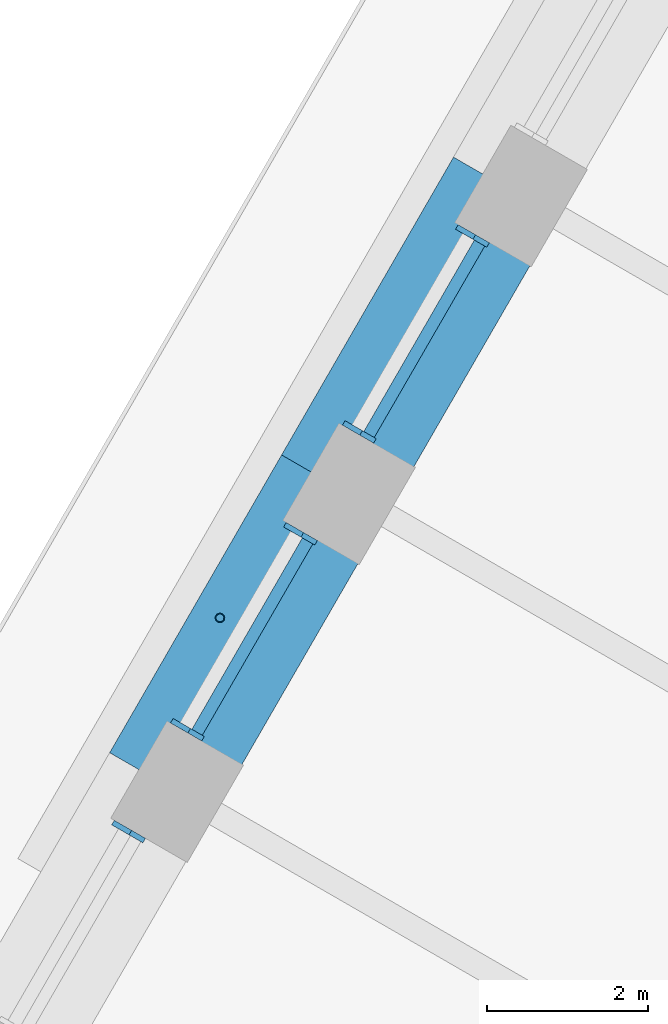
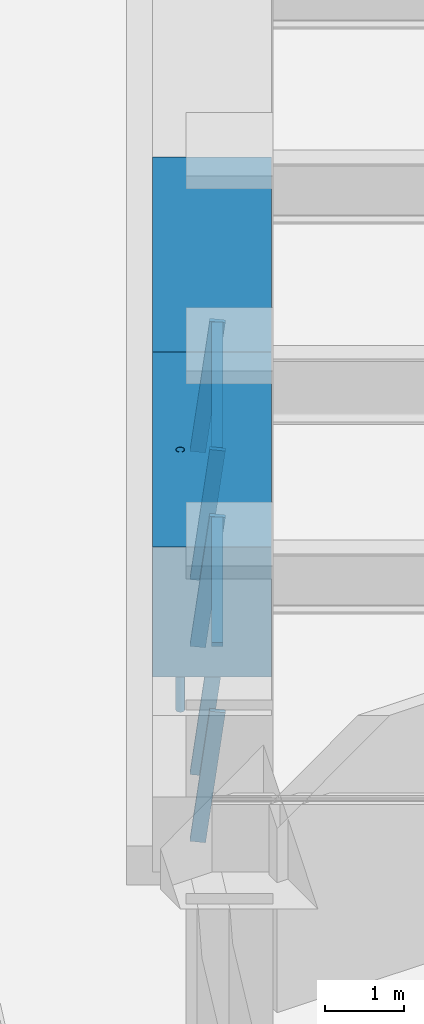
# One storey, part 6 of 18: 8 members, 2 beams, 3 elements without a shape of their own.
"""IFC4 building model written with IfcOpenShell, lengths in metres."""

from ifc_helpers import new_model, si_unit, direction, frame, origin, origin_2d, place, context, subcontext, project, spatial, rectangle, hollow_circle, extrude, material, material_profile, profile_set, type_object, element, aggregate, save


model = new_model("IFC4")

# Units and contexts
model_context = context("Model", 3, precision=1e-05, world=origin(), true_north=direction((0.0, 1.0)))
body_context = subcontext(model_context, "Body", "Model", "MODEL_VIEW")
ifc_project = project(units=[si_unit("LENGTHUNIT", "METRE"), si_unit("AREAUNIT", "SQUARE_METRE"), si_unit("VOLUMEUNIT", "CUBIC_METRE"), si_unit("PLANEANGLEUNIT", "RADIAN"), si_unit("MASSUNIT", "GRAM", prefix="KILO")], contexts=[model_context])

# Site, building, storey
site_placement = place(None, origin())
site = spatial("IfcSite", under=ifc_project, at=site_placement, CompositionType="ELEMENT")
building_placement = place(site_placement, origin())
building = spatial("IfcBuilding", under=site, at=building_placement, Name="Tarfa Lantern Tower", CompositionType="ELEMENT")
storey_placement = place(building_placement, frame((0.0, 0.0, 324.10009765625)))
storey = spatial("IfcBuildingStorey", under=building, at=storey_placement, Name="L73", CompositionType="ELEMENT", Elevation=324.10009765625)

# Curtain wall, members
ifc_material_1 = material(Name="Aluminium framed curtain wall", Category="aluminium")
curtain_wall_type = type_object("IfcCurtainWallType", Name="CW4 CANTED GLAZING EXECUTIVE ZONE 2000", PredefinedType="USERDEFINED", material=ifc_material_1)
curtain_wall_1_placement = place(storey_placement, origin())
curtain_wall_1 = element("IfcCurtainWall", 1, at=curtain_wall_1_placement, inside=storey, type_object=curtain_wall_type, Name="CW4 NW L73", ObjectType="CURTAIN WALL", PredefinedType="USERDEFINED")
ifc_material_2 = material(Name="Aluminium mullion", Category="aluminium")
ifc_material_profile_1 = material_profile(ifc_material_2, rectangle(XDim=0.06494140625, YDim=0.199951171875, at=origin_2d()), Name="AL MULLION 65x200")
ifc_profile_set_1 = profile_set([ifc_material_profile_1], Name="Aluminium mullion")
member_type_1 = type_object("IfcMemberType", Name="CWM1 MULLION 65x200", PredefinedType="MULLION", material=ifc_profile_set_1)
member_1_placement = place(storey_placement, frame((-23.44580078125, 12.690673828125, 0.0), z_axis=(0.107439978116, -0.062017213975, 0.992275423596), x_axis=(0.499919672301, 0.866071776036, 0.0)))
member_1 = element("IfcMember", 2, at=member_1_placement, type_object=member_type_1, Name="CW4 mullion 1", PredefinedType="MULLION", context=body_context, shape_type="SweptSolid", body=[
    extrude(rectangle(XDim=0.06494140625, YDim=0.199951171875, at=origin_2d()), origin(), (0.0, 0.0, 1.0), 2.015625),
])
member_2_placement = place(storey_placement, frame((-24.854248046875, 10.2509765625, 0.0), z_axis=(0.107320246625, -0.062018020623, 0.992288329964), x_axis=(0.500342721131, 0.865827443207, 0.0)))
member_2 = element("IfcMember", 3, at=member_2_placement, type_object=member_type_1, Name="CW4 mullion 2", PredefinedType="MULLION", context=body_context, shape_type="SweptSolid", body=[
    extrude(rectangle(XDim=0.06494140625, YDim=0.199951171875, at=origin_2d()), origin(), (0.0, 0.0, 1.0), 2.015625),
])

curtain_wall_2_placement = place(storey_placement, origin())
curtain_wall_2 = element("IfcCurtainWall", 4, at=curtain_wall_2_placement, inside=storey, type_object=curtain_wall_type, Name="CW4 NW L73", ObjectType="CURTAIN WALL", PredefinedType="USERDEFINED")
member_3_placement = place(storey_placement, frame((-25.5869140625, 8.982421875, 0.0), z_axis=(0.107439978116, -0.062017213975, 0.992275423596), x_axis=(0.499919672301, 0.866071776036, 0.0)))
member_3 = element("IfcMember", 5, at=member_3_placement, type_object=member_type_1, Name="CW4 mullion 1", PredefinedType="MULLION", context=body_context, shape_type="SweptSolid", body=[
    extrude(rectangle(XDim=0.06494140625, YDim=0.199951171875, at=origin_2d()), origin(), (0.0, 0.0, 1.0), 2.015625),
])
member_4_placement = place(storey_placement, frame((-26.995361328125, 6.542724609375, 0.0), z_axis=(0.107439978116, -0.062017213975, 0.992275423596), x_axis=(0.499919672301, 0.866071776036, 0.0)))
member_4 = element("IfcMember", 6, at=member_4_placement, type_object=member_type_1, Name="CW4 mullion 2", PredefinedType="MULLION", context=body_context, shape_type="SweptSolid", body=[
    extrude(rectangle(XDim=0.06494140625, YDim=0.199951171875, at=origin_2d()), origin(), (0.0, 0.0, 1.0), 2.015625),
])

# Curtain wall, member
curtain_wall_3_placement = place(storey_placement, origin())
curtain_wall_3 = element("IfcCurtainWall", 7, at=curtain_wall_3_placement, inside=storey, type_object=curtain_wall_type, Name="CW4 NW L73", ObjectType="CURTAIN WALL", PredefinedType="USERDEFINED")
member_5_placement = place(storey_placement, frame((-27.727783203125, 5.27392578125, 0.0), z_axis=(0.107439978116, -0.062017213975, 0.992275423596), x_axis=(0.499919672301, 0.866071776036, 0.0)))
member_5 = element("IfcMember", 8, at=member_5_placement, type_object=member_type_1, Name="CW4 mullion 1", PredefinedType="MULLION", context=body_context, shape_type="SweptSolid", body=[
    extrude(rectangle(XDim=0.06494140625, YDim=0.199951171875, at=origin_2d()), origin(), (0.0, 0.0, 1.0), 2.015625),
])
aggregate(curtain_wall_3, [member_5])

# Member
ifc_material_3 = material(Name="Aluminium transom", Category="aluminium")
ifc_material_profile_2 = material_profile(ifc_material_3, rectangle(XDim=0.14990234375, YDim=0.06494140625, at=origin_2d()), Name="AL TRANSOM 150x65")
ifc_profile_set_2 = profile_set([ifc_material_profile_2], Name="Aluminium transom")
member_type_2 = type_object("IfcMemberType", Name="CWT1 TRANSOM 150x65", PredefinedType="USERDEFINED", material=ifc_profile_set_2)
member_6_placement = place(storey_placement, frame((-23.2490234375, 12.53955078125, 1.96728515625), z_axis=(-0.499993790352, -0.866028988896, 0.0), x_axis=(0.866028988896, -0.499993790352, 0.0)))
member_6 = element("IfcMember", 9, at=member_6_placement, type_object=member_type_2, Name="CW4 transom 1.2", ObjectType="TRANSOM", PredefinedType="USERDEFINED", context=body_context, shape_type="SweptSolid", body=[
    extrude(rectangle(XDim=0.14990234375, YDim=0.06494140625, at=origin_2d()), origin(), (0.0, 0.0, 1.0), 2.751953125),
])

aggregate(curtain_wall_1, [member_1, member_2, member_6])

member_7_placement = place(storey_placement, frame((-25.39013671875, 8.831298828125, 1.96728515625), z_axis=(-0.499955378711, -0.866051164365, 0.0), x_axis=(0.866051164365, -0.499955378711, 0.0)))
member_7 = element("IfcMember", 10, at=member_7_placement, type_object=member_type_2, Name="CW4 transom 1.2", ObjectType="TRANSOM", PredefinedType="USERDEFINED", context=body_context, shape_type="SweptSolid", body=[
    extrude(rectangle(XDim=0.14990234375, YDim=0.06494140625, at=origin_2d()), origin(), (0.0, 0.0, 1.0), 2.752197265625),
])

aggregate(curtain_wall_2, [member_3, member_4, member_7])

# Beams
ifc_material_4 = material(Name="Concrete C80/95", Category="concrete")
ifc_material_profile_3 = material_profile(ifc_material_4, rectangle(XDim=1.5, YDim=2.0, at=origin_2d()), Name="RC 1500x2000")
ifc_profile_set_3 = profile_set([ifc_material_profile_3], Name="Concrete C80/95")
beam_type = type_object("IfcBeamType", Name="RB3 RC 1500x2000", PredefinedType="BEAM", material=ifc_profile_set_3)
beam_1_placement = place(storey_placement, frame((-22.923583984375, 13.235107421875, 3.0), z_axis=(-0.500002112793, -0.866024183959, 0.0), x_axis=(0.866024183959, -0.500002112793, 0.0)))
element("IfcBeam", 11, at=beam_1_placement, inside=storey, type_object=beam_type, Name="Edge beam NW3", PredefinedType="BEAM", context=body_context, shape_type="SweptSolid", body=[
    extrude(rectangle(XDim=1.5, YDim=2.0, at=origin_2d()), origin(), (0.0, 0.0, 1.0), 4.2822265625),
])
beam_2_placement = place(storey_placement, frame((-25.064697265625, 9.526611328125, 3.0), z_axis=(-0.500026801138, -0.866009929587, 0.0), x_axis=(0.866009929587, -0.500026801138, 0.0)))
element("IfcBeam", 12, at=beam_2_placement, inside=storey, type_object=beam_type, Name="Edge beam NW4", PredefinedType="BEAM", context=body_context, shape_type="SweptSolid", body=[
    extrude(rectangle(XDim=1.5, YDim=2.0, at=origin_2d()), origin(), (0.0, 0.0, 1.0), 4.281982421875),
])

# Member
ifc_material_5 = material(Name="Steel S355", Category="steel")
ifc_material_profile_4 = material_profile(ifc_material_5, hollow_circle(Radius=0.05712890625, WallThickness=0.00634765625, at=origin_2d()), Name="CHS114.3x6.3")
ifc_profile_set_4 = profile_set([ifc_material_profile_4], Name="Steel S355")
member_type_3 = type_object("IfcMemberType", Name="TR1 GREEN WALL TRELLIS CHS114.3x6.3", PredefinedType="USERDEFINED", material=ifc_profile_set_4)
member_8_placement = place(storey_placement, frame((-26.481689453125, 7.87255859375, 0.0), z_axis=(0.0, 0.0, 1.0), x_axis=(1.0, 0.0, 0.0)))
element("IfcMember", 13, at=member_8_placement, inside=storey, type_object=member_type_3, Name="Trellis post NW 2", ObjectType="TRELLIS", PredefinedType="USERDEFINED", context=body_context, shape_type="SweptSolid", body=[
    extrude(hollow_circle(Radius=0.05712890625, WallThickness=0.00634765625, at=origin_2d()), origin(), (0.0, 0.0, 1.0), 4.0),
])

save(model, "model.ifc")
